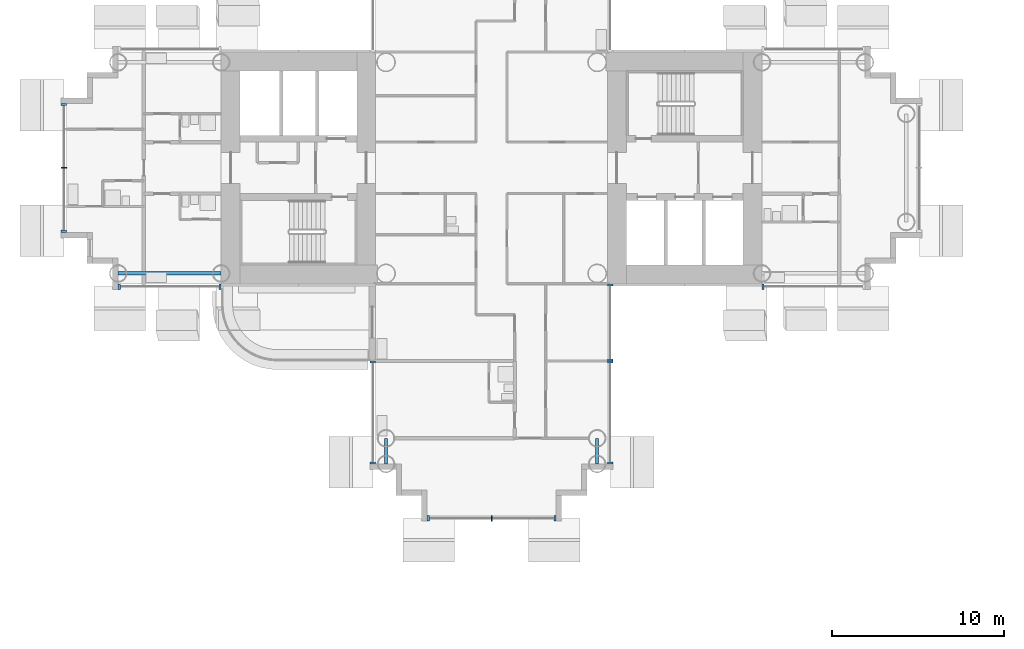
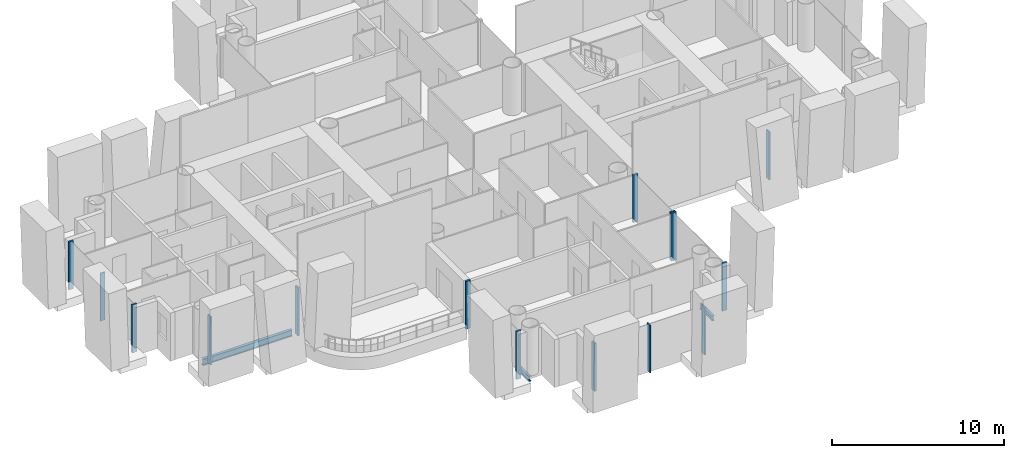
# One storey, part 3 of 25: 15 members, 3 beams, 7 elements without a shape of their own.
"""IFC4 building model written with IfcOpenShell, lengths in metres."""

import ifcopenshell
import ifcopenshell.guid

model = None  # the IFC model being written
_history = None  # IfcOwnerHistory: only IFC2X3 demands one
_inside = {}  # id of a spatial element -> (the spatial element, [elements in it])
_under = {}  # id of a project, library or spatial element -> (it, [spatial elements below it])
_declared = {}  # id of a project -> (the project, [libraries it declares])
_typed = {}  # id of a type object -> (the type object, [elements of that type])
_made_of = {}  # id of a material, layer set ... -> (it, [elements and type objects made of it])


def new_model(schema):
    """Start an empty IFC model of exactly this schema.

    Asked for "IFC4X3", IfcOpenShell would pick the latest addendum, in which some entities
    have other attributes; the version numbers below select the first issue.
    IFC2X3 requires an IfcOwnerHistory on every rooted entity: one is made here for all.
    """
    global model, _history
    if schema == "IFC4X3":
        model = ifcopenshell.file(schema_version=(4, 3, 0, 0))
    else:
        model = ifcopenshell.file(schema=schema)
    _inside.clear()
    _under.clear()
    _declared.clear()
    _typed.clear()
    _made_of.clear()
    _history = None
    if model.schema == "IFC2X3":
        org = make("IfcOrganization", Name="unknown")
        user = make(
            "IfcPersonAndOrganization",
            ThePerson=make("IfcPerson", FamilyName="unknown"),
            TheOrganization=org,
        )
        app = make(
            "IfcApplication",
            ApplicationDeveloper=org,
            Version="unknown",
            ApplicationFullName="unknown",
            ApplicationIdentifier="unknown",
        )
        _history = make(
            "IfcOwnerHistory",
            OwningUser=user,
            OwningApplication=app,
            ChangeAction="ADDED",
            CreationDate=0,
        )
    return model


def make(cls, **values):
    """One entity of the class cls with the attributes given. An attribute that is None is left unset."""
    return model.create_entity(
        cls, **{name: value for name, value in values.items() if value is not None}
    )


def rooted(cls, **values):
    """An entity with a GlobalId (a new one), such as an element, a storey or a relation."""
    return make(cls, GlobalId=ifcopenshell.guid.new(), OwnerHistory=_history, **values)


def si_unit(unit_type, name, prefix=None):
    """IfcSIUnit, for example si_unit("LENGTHUNIT", "METRE", prefix="MILLI")."""
    return make("IfcSIUnit", UnitType=unit_type, Prefix=prefix, Name=name)


def assignment(units):
    """IfcUnitAssignment: the units of a project."""
    return None if units is None else make("IfcUnitAssignment", Units=units)


def point(xyz):
    """IfcCartesianPoint."""
    return None if xyz is None else make("IfcCartesianPoint", Coordinates=xyz)


def direction(xyz):
    """IfcDirection."""
    return None if xyz is None else make("IfcDirection", DirectionRatios=xyz)


def frame(location, z_axis=None, x_axis=None):
    """IfcAxis2Placement3D, a coordinate frame: its origin and axes. An axis left out is left unset."""
    return make(
        "IfcAxis2Placement3D",
        Location=point(location),
        Axis=direction(z_axis),
        RefDirection=direction(x_axis),
    )


def frame_2d(location, x_axis=None):
    """IfcAxis2Placement2D, a coordinate frame in the plane: its origin and x axis."""
    return make(
        "IfcAxis2Placement2D", Location=point(location), RefDirection=direction(x_axis)
    )


def origin():
    """The frame at (0, 0, 0) with its axes left unset."""
    return frame((0.0, 0.0, 0.0))


def origin_2d():
    """The frame at (0, 0) in the plane with its x axis left unset."""
    return frame_2d((0.0, 0.0))


def place(relative_to, where):
    """IfcLocalPlacement: puts the frame where relative to a parent placement (None: the world)."""
    return make(
        "IfcLocalPlacement", PlacementRelTo=relative_to, RelativePlacement=where
    )


def context(
    kind, dimensions, precision=None, world=None, true_north=None, identifier=None
):
    """IfcGeometricRepresentationContext, for example the 3D "Model" context."""
    return make(
        "IfcGeometricRepresentationContext",
        ContextIdentifier=identifier,
        ContextType=kind,
        CoordinateSpaceDimension=dimensions,
        Precision=precision,
        WorldCoordinateSystem=world,
        TrueNorth=true_north,
    )


def subcontext(parent, identifier, kind, view, scale=None):
    """IfcGeometricRepresentationSubContext, for example "Body" below "Model"."""
    return make(
        "IfcGeometricRepresentationSubContext",
        ContextIdentifier=identifier,
        ContextType=kind,
        ParentContext=parent,
        TargetScale=scale,
        TargetView=view,
    )


def project(units=None, contexts=None):
    """IfcProject with its units and contexts."""
    return rooted(
        "IfcProject",
        Name="project",
        RepresentationContexts=contexts,
        UnitsInContext=assignment(units),
    )


def spatial(cls, under=None, at=None, **own):
    """A site, building, storey or space (cls), placed at a placement, below another one or the project."""
    s = rooted(cls, ObjectPlacement=at, **own)
    if under is not None:
        _under.setdefault(under.id(), (under, []))[1].append(s)
    return s


def profile(cls, at=None, kind="AREA", **sizes):
    """A parametric profile (cls). Its sizes go by their IFC names, for example OverallWidth=200.0."""
    return make(cls, ProfileType=kind, Position=at, **sizes)


def rectangle(**sizes):
    """IfcRectangleProfileDef."""
    return profile("IfcRectangleProfileDef", **sizes)


def i_section(**sizes):
    """IfcIShapeProfileDef."""
    return profile("IfcIShapeProfileDef", **sizes)


def extrude(swept, where, along, depth):
    """IfcExtrudedAreaSolid: the profile swept, set in the frame where, extruded along a direction by depth."""
    return make(
        "IfcExtrudedAreaSolid",
        SweptArea=swept,
        Position=where,
        ExtrudedDirection=direction(along),
        Depth=depth,
    )


def shape(context_of_items, identifier, shape_type, items):
    """IfcShapeRepresentation: the items that make up one representation, for example the "Body"."""
    return make(
        "IfcShapeRepresentation",
        ContextOfItems=context_of_items,
        RepresentationIdentifier=identifier,
        RepresentationType=shape_type,
        Items=items,
    )


def material(Name=None, Category=None):
    """IfcMaterial."""
    return make("IfcMaterial", Name=Name, Category=Category)


def layer(
    of_material, thickness, ventilated=None, Name=None, Category=None, Priority=None
):
    """IfcMaterialLayer: one layer of a wall or slab, of a material (None: an air gap)."""
    return make(
        "IfcMaterialLayer",
        Material=of_material,
        LayerThickness=thickness,
        IsVentilated=ventilated,
        Name=Name,
        Category=Category,
        Priority=Priority,
    )


def layer_set(layers, Name=None):
    """IfcMaterialLayerSet."""
    return make("IfcMaterialLayerSet", MaterialLayers=layers, LayerSetName=Name)


def material_profile(
    of_material, cross_section, Name=None, Category=None, Priority=None
):
    """IfcMaterialProfile: a cross section and its material."""
    return make(
        "IfcMaterialProfile",
        Name=Name,
        Material=of_material,
        Profile=cross_section,
        Priority=Priority,
        Category=Category,
    )


def profile_set(profiles, Name=None, composite=None):
    """IfcMaterialProfileSet."""
    return make(
        "IfcMaterialProfileSet",
        Name=Name,
        MaterialProfiles=profiles,
        CompositeProfile=composite,
    )


def made_of(thing, what):
    """Note that an element or type object is made of a material, layer set ...; save() writes the relation."""
    if what is not None:
        _made_of.setdefault(what.id(), (what, []))[1].append(thing)
    return thing


def type_object(cls, material=None, **own):
    """A type object (cls), such as IfcWallType, which elements share."""
    return made_of(rooted(cls, **own), material)


def element(
    cls,
    number,
    at=None,
    inside=None,
    cuts=None,
    type_object=None,
    material=None,
    context=None,
    identifier="Body",
    shape_type=None,
    held_by="IfcProductDefinitionShape",
    body=None,
    shapes=None,
    **own,
):
    """One element of the class cls, such as IfcWall. Its Tag is "e" and its number.

    at: its placement. inside: the storey or other place that contains it. cuts: it is an
    opening in that element (IfcRelVoidsElement). A single representation is given by context,
    identifier, shape_type and body (its items); several are given by shapes. held_by: the class
    of the entity that holds the representations. save() writes the other relations.
    """
    e = rooted(cls, Tag="e%d" % number, ObjectPlacement=at, **own)
    if body is not None:
        shapes = [shape(context, identifier, shape_type, body)]
    if shapes is not None:
        e.Representation = make(held_by, Representations=shapes)
    if inside is not None:
        _inside.setdefault(inside.id(), (inside, []))[1].append(e)
    if cuts is not None:
        rooted(
            "IfcRelVoidsElement", RelatingBuildingElement=cuts, RelatedOpeningElement=e
        )
    if type_object is not None:
        _typed.setdefault(type_object.id(), (type_object, []))[1].append(e)
    return made_of(e, material)


def aggregate(whole, parts):
    """IfcRelAggregates: a whole, such as a stair, and the parts it consists of."""
    return rooted("IfcRelAggregates", RelatingObject=whole, RelatedObjects=parts)


def save(model, path):
    """Write the relations noted so far, then the file.

    IfcRelAggregates (storeys below a building ...), IfcRelContainedInSpatialStructure (elements
    in a storey), IfcRelDefinesByType, IfcRelAssociatesMaterial and IfcRelDeclares: one each for
    every whole, place, type object, material and project.
    """
    for whole, parts in _under.values():
        aggregate(whole, parts)
    for where, things in _inside.values():
        rooted(
            "IfcRelContainedInSpatialStructure",
            RelatedElements=things,
            RelatingStructure=where,
        )
    for kind, things in _typed.values():
        rooted("IfcRelDefinesByType", RelatedObjects=things, RelatingType=kind)
    for what, things in _made_of.values():
        rooted("IfcRelAssociatesMaterial", RelatedObjects=things, RelatingMaterial=what)
    for by, libraries in _declared.values():
        rooted("IfcRelDeclares", RelatingContext=by, RelatedDefinitions=libraries)
    model.write(path)


model = new_model("IFC4")

# Units and contexts
model_context = context("Model", 3, precision=1e-05, world=origin(), true_north=direction((0.0, 1.0)))
body_context = subcontext(model_context, "Body", "Model", "MODEL_VIEW")
ifc_project = project(units=[si_unit("LENGTHUNIT", "METRE"), si_unit("AREAUNIT", "SQUARE_METRE"), si_unit("VOLUMEUNIT", "CUBIC_METRE"), si_unit("PLANEANGLEUNIT", "RADIAN"), si_unit("MASSUNIT", "GRAM", prefix="KILO")], contexts=[model_context])

# Site, building, storey
site_placement = place(None, origin())
site = spatial("IfcSite", under=ifc_project, at=site_placement, CompositionType="ELEMENT")
building_placement = place(site_placement, origin())
building = spatial("IfcBuilding", under=site, at=building_placement, Name="Ipe Terrace Towers", CompositionType="ELEMENT")
storey_placement = place(building_placement, frame((0.0, 0.0, 65.300048828125)))
storey = spatial("IfcBuildingStorey", under=building, at=storey_placement, Name="L17", CompositionType="ELEMENT", Elevation=65.300048828125)

# Beams
ifc_material_1 = material(Name="Steel S355", Category="steel")
ifc_material_profile_1 = material_profile(ifc_material_1, i_section(OverallWidth=0.175048828125, OverallDepth=0.35009765625, WebThickness=0.007080078125, FlangeThickness=0.010986328125, at=origin_2d()), Name="H-350x175x7x11")
ifc_profile_set_1 = profile_set([ifc_material_profile_1], Name="Steel S355")
beam_type_1 = type_object("IfcBeamType", Name="H04 EDGE BEAM H-350x175x7x11", PredefinedType="BEAM", material=ifc_profile_set_1)
for number, where, z_axis, x_axis, name in (
    (1, (-42.14990234375, -15.75, -0.574951171875), (0.0, -1.0, 0.0), (1.0, 0.0, 0.0), "Edge beam T1-EB-D03-D05"),
    (2, (-29.85009765625, -15.75, -0.574951171875), (0.0, -1.0, 0.0), (1.0, 0.0, 0.0), "Edge beam T1-EB-D04-D06"),
):
    element("IfcBeam", number, at=place(storey_placement, frame(where, z_axis=z_axis, x_axis=x_axis)), inside=storey, type_object=beam_type_1, Name=name, PredefinedType="BEAM", context=body_context, shape_type="SweptSolid", body=[
        extrude(i_section(OverallWidth=0.175048828125, OverallDepth=0.35009765625, WebThickness=0.007080078125, FlangeThickness=0.010986328125, at=origin_2d()), origin(), (0.0, 0.0, 1.0), 1.5),
    ])
ifc_material_2 = material(Name="Steel S355", Category="steel")
ifc_material_profile_2 = material_profile(ifc_material_2, i_section(OverallWidth=0.199951171875, OverallDepth=0.449951171875, WebThickness=0.009033203125, FlangeThickness=0.013916015625, at=origin_2d()), Name="H-450x200x9x14")
ifc_profile_set_2 = profile_set([ifc_material_profile_2], Name="Steel S355")
beam_type_2 = type_object("IfcBeamType", Name="H08 EDGE BEAM H-450x200x9x14", PredefinedType="BEAM", material=ifc_profile_set_2)
beam_placement = place(storey_placement, frame((-51.75, -6.14990234375, -0.625), z_axis=(-1.0, 0.0, 0.0), x_axis=(0.0, -1.0, 0.0)))
element("IfcBeam", 3, at=beam_placement, inside=storey, type_object=beam_type_2, Name="Edge beam T1-EB-C01-C03", PredefinedType="BEAM", context=body_context, shape_type="SweptSolid", body=[
    extrude(i_section(OverallWidth=0.199951171875, OverallDepth=0.449951171875, WebThickness=0.009033203125, FlangeThickness=0.013916015625, at=origin_2d()), origin(), (0.0, 0.0, 1.0), 6.0),
])

# Curtain wall, members
ifc_material_3 = material(Name="Aluminium alloy 6063-T6", Category="aluminium")
ifc_layer = layer(ifc_material_3, 0.320068359375)
ifc_layer_set = layer_set([ifc_layer], Name="TOWER UNITISED CURTAIN WALL")
curtain_wall_type = type_object("IfcCurtainWallType", Name="TOWER UNITISED CURTAIN WALL", PredefinedType="NOTDEFINED", material=ifc_layer_set)
curtain_wall_1_placement = place(storey_placement, origin())
curtain_wall_1 = element("IfcCurtainWall", 4, at=curtain_wall_1_placement, inside=storey, type_object=curtain_wall_type, Name="T1-CW-L17-04a curtain wall", PredefinedType="NOTDEFINED")
ifc_material_4 = material(Name="Aluminium alloy 6063-T6", Category="aluminium")
ifc_material_profile_3 = material_profile(ifc_material_4, rectangle(XDim=0.320068359375, YDim=0.1201171875, at=origin_2d()), Name="TOWER UNITISED CORNER MULLION 320 x 120")
ifc_profile_set_3 = profile_set([ifc_material_profile_3], Name="Aluminium alloy 6063-T6")
member_type_1 = type_object("IfcMemberType", Name="TOWER UNITISED CORNER MULLION 320 x 120", PredefinedType="MULLION", material=ifc_profile_set_3)
member_1_placement = place(storey_placement, frame((-57.68994140625, -6.909912109375, -0.300048828125), z_axis=(0.0, 0.0, 1.0), x_axis=(0.0, -1.0, 0.0)))
member_1 = element("IfcMember", 5, at=member_1_placement, type_object=member_type_1, Name="T1-CW-L17-04a mullion 1", PredefinedType="MULLION", context=body_context, shape_type="SweptSolid", body=[
    extrude(rectangle(XDim=0.320068359375, YDim=0.1201171875, at=origin_2d()), origin(), (0.0, 0.0, 1.0), 3.39990234375),
])
member_2_placement = place(storey_placement, frame((-51.81103515625, -6.909912109375, -0.300048828125), z_axis=(0.0, 0.0, 1.0), x_axis=(0.0, -1.0, 0.0)))
member_2 = element("IfcMember", 6, at=member_2_placement, type_object=member_type_1, Name="T1-CW-L17-04a mullion 2", PredefinedType="MULLION", context=body_context, shape_type="SweptSolid", body=[
    extrude(rectangle(XDim=0.320068359375, YDim=0.1201171875, at=origin_2d()), origin(), (0.0, 0.0, 1.0), 3.39990234375),
])
aggregate(curtain_wall_1, [member_1, member_2])

curtain_wall_2_placement = place(storey_placement, origin())
curtain_wall_2 = element("IfcCurtainWall", 7, at=curtain_wall_2_placement, inside=storey, type_object=curtain_wall_type, Name="T1-CW-L17-07a curtain wall", PredefinedType="NOTDEFINED")
member_3_placement = place(storey_placement, frame((-42.909912109375, -11.31005859375, -0.300048828125), z_axis=(0.0, 0.0, 1.0), x_axis=(-1.0, 0.0, 0.0)))
member_3 = element("IfcMember", 8, at=member_3_placement, type_object=member_type_1, Name="T1-CW-L17-07a mullion 1", PredefinedType="MULLION", context=body_context, shape_type="SweptSolid", body=[
    extrude(rectangle(XDim=0.320068359375, YDim=0.1201171875, at=origin_2d()), origin(), (0.0, 0.0, 1.0), 3.39990234375),
])
member_4_placement = place(storey_placement, frame((-42.909912109375, -17.18994140625, -0.300048828125), z_axis=(0.0, 0.0, 1.0), x_axis=(-1.0, 0.0, 0.0)))
member_4 = element("IfcMember", 9, at=member_4_placement, type_object=member_type_1, Name="T1-CW-L17-07a mullion 2", PredefinedType="MULLION", context=body_context, shape_type="SweptSolid", body=[
    extrude(rectangle(XDim=0.320068359375, YDim=0.1201171875, at=origin_2d()), origin(), (0.0, 0.0, 1.0), 3.39990234375),
])
aggregate(curtain_wall_2, [member_3, member_4])

curtain_wall_3_placement = place(storey_placement, origin())
curtain_wall_3 = element("IfcCurtainWall", 10, at=curtain_wall_3_placement, inside=storey, type_object=curtain_wall_type, Name="T1-CW-L17-12a curtain wall", PredefinedType="NOTDEFINED")
member_5_placement = place(storey_placement, frame((-39.68994140625, -20.409912109375, -0.300048828125), z_axis=(0.0, 0.0, 1.0), x_axis=(0.0, -1.0, 0.0)))
member_5 = element("IfcMember", 11, at=member_5_placement, type_object=member_type_1, Name="T1-CW-L17-12a mullion 1", PredefinedType="MULLION", context=body_context, shape_type="SweptSolid", body=[
    extrude(rectangle(XDim=0.320068359375, YDim=0.1201171875, at=origin_2d()), origin(), (0.0, 0.0, 1.0), 3.39990234375),
])
member_6_placement = place(storey_placement, frame((-32.31005859375, -20.409912109375, -0.300048828125), z_axis=(0.0, 0.0, 1.0), x_axis=(0.0, -1.0, 0.0)))
member_6 = element("IfcMember", 12, at=member_6_placement, type_object=member_type_1, Name="T1-CW-L17-12a mullion 3", PredefinedType="MULLION", context=body_context, shape_type="SweptSolid", body=[
    extrude(rectangle(XDim=0.320068359375, YDim=0.1201171875, at=origin_2d()), origin(), (0.0, 0.0, 1.0), 3.39990234375),
])

curtain_wall_4_placement = place(storey_placement, origin())
curtain_wall_4 = element("IfcCurtainWall", 13, at=curtain_wall_4_placement, inside=storey, type_object=curtain_wall_type, Name="T1-CW-L17-17a curtain wall", PredefinedType="NOTDEFINED")
member_7_placement = place(storey_placement, frame((-29.090087890625, -17.18994140625, -0.300048828125), z_axis=(0.0, 0.0, 1.0), x_axis=(1.0, 0.0, 0.0)))
member_7 = element("IfcMember", 14, at=member_7_placement, type_object=member_type_1, Name="T1-CW-L17-17a mullion 1", PredefinedType="MULLION", context=body_context, shape_type="SweptSolid", body=[
    extrude(rectangle(XDim=0.320068359375, YDim=0.1201171875, at=origin_2d()), origin(), (0.0, 0.0, 1.0), 3.39990234375),
])
member_8_placement = place(storey_placement, frame((-29.090087890625, -11.31005859375, -0.300048828125), z_axis=(0.0, 0.0, 1.0), x_axis=(1.0, 0.0, 0.0)))
member_8 = element("IfcMember", 15, at=member_8_placement, type_object=member_type_1, Name="T1-CW-L17-17a mullion 2", PredefinedType="MULLION", context=body_context, shape_type="SweptSolid", body=[
    extrude(rectangle(XDim=0.320068359375, YDim=0.1201171875, at=origin_2d()), origin(), (0.0, 0.0, 1.0), 3.39990234375),
])
aggregate(curtain_wall_4, [member_7, member_8])

curtain_wall_5_placement = place(storey_placement, origin())
curtain_wall_5 = element("IfcCurtainWall", 16, at=curtain_wall_5_placement, inside=storey, type_object=curtain_wall_type, Name="T1-CW-L17-18a curtain wall", PredefinedType="NOTDEFINED")
member_9_placement = place(storey_placement, frame((-29.090087890625, -11.18994140625, -0.300048828125), z_axis=(0.0, 0.0, 1.0), x_axis=(1.0, 0.0, 0.0)))
member_9 = element("IfcMember", 17, at=member_9_placement, type_object=member_type_1, Name="T1-CW-L17-18a mullion 1", PredefinedType="MULLION", context=body_context, shape_type="SweptSolid", body=[
    extrude(rectangle(XDim=0.320068359375, YDim=0.1201171875, at=origin_2d()), origin(), (0.0, 0.0, 1.0), 3.39990234375),
])
member_10_placement = place(storey_placement, frame((-29.090087890625, -6.81005859375, -0.300048828125), z_axis=(0.0, 0.0, 1.0), x_axis=(1.0, 0.0, 0.0)))
member_10 = element("IfcMember", 18, at=member_10_placement, type_object=member_type_1, Name="T1-CW-L17-18a mullion 2", PredefinedType="MULLION", context=body_context, shape_type="SweptSolid", body=[
    extrude(rectangle(XDim=0.320068359375, YDim=0.1201171875, at=origin_2d()), origin(), (0.0, 0.0, 1.0), 3.39990234375),
])
aggregate(curtain_wall_5, [member_9, member_10])

# Curtain wall, member
curtain_wall_6_placement = place(storey_placement, origin())
curtain_wall_6 = element("IfcCurtainWall", 19, at=curtain_wall_6_placement, inside=storey, type_object=curtain_wall_type, Name="T1-CW-L17-20b curtain wall", PredefinedType="NOTDEFINED")
member_11_placement = place(storey_placement, frame((-20.18896484375, -6.909912109375, -0.300048828125), z_axis=(0.0, 0.0, 1.0), x_axis=(0.0, -1.0, 0.0)))
member_11 = element("IfcMember", 20, at=member_11_placement, type_object=member_type_1, Name="T1-CW-L17-20b mullion 1", PredefinedType="MULLION", context=body_context, shape_type="SweptSolid", body=[
    extrude(rectangle(XDim=0.320068359375, YDim=0.1201171875, at=origin_2d()), origin(), (0.0, 0.0, 1.0), 3.39990234375),
])
aggregate(curtain_wall_6, [member_11])

# Curtain wall, members
curtain_wall_7_placement = place(storey_placement, origin())
curtain_wall_7 = element("IfcCurtainWall", 21, at=curtain_wall_7_placement, inside=storey, type_object=curtain_wall_type, Name="T1-CW-L17-51a curtain wall", PredefinedType="NOTDEFINED")
member_12_placement = place(storey_placement, frame((-60.909912109375, 3.68994140625, -0.300048828125), z_axis=(0.0, 0.0, 1.0), x_axis=(-1.0, 0.0, 0.0)))
member_12 = element("IfcMember", 22, at=member_12_placement, type_object=member_type_1, Name="T1-CW-L17-51a mullion 1", PredefinedType="MULLION", context=body_context, shape_type="SweptSolid", body=[
    extrude(rectangle(XDim=0.320068359375, YDim=0.1201171875, at=origin_2d()), origin(), (0.0, 0.0, 1.0), 3.39990234375),
])
member_13_placement = place(storey_placement, frame((-60.909912109375, -3.68994140625, -0.300048828125), z_axis=(0.0, 0.0, 1.0), x_axis=(-1.0, 0.0, 0.0)))
member_13 = element("IfcMember", 23, at=member_13_placement, type_object=member_type_1, Name="T1-CW-L17-51a mullion 3", PredefinedType="MULLION", context=body_context, shape_type="SweptSolid", body=[
    extrude(rectangle(XDim=0.320068359375, YDim=0.1201171875, at=origin_2d()), origin(), (0.0, 0.0, 1.0), 3.39990234375),
])

# Member
ifc_material_5 = material(Name="Aluminium alloy 6063-T6", Category="aluminium")
ifc_material_profile_4 = material_profile(ifc_material_5, rectangle(XDim=0.320068359375, YDim=0.06494140625, at=origin_2d()), Name="TOWER UNITISED MULLION 320 x 65")
ifc_profile_set_4 = profile_set([ifc_material_profile_4], Name="Aluminium alloy 6063-T6")
member_type_2 = type_object("IfcMemberType", Name="TOWER UNITISED MULLION 320 x 65", PredefinedType="MULLION", material=ifc_profile_set_4)
member_14_placement = place(storey_placement, frame((-36.0, -20.409912109375, -0.300048828125), z_axis=(0.0, 0.0, 1.0), x_axis=(0.0, -1.0, 0.0)))
member_14 = element("IfcMember", 24, at=member_14_placement, type_object=member_type_2, Name="T1-CW-L17-12a mullion 2", PredefinedType="MULLION", context=body_context, shape_type="SweptSolid", body=[
    extrude(rectangle(XDim=0.320068359375, YDim=0.06494140625, at=origin_2d()), origin(), (0.0, 0.0, 1.0), 3.39990234375),
])

aggregate(curtain_wall_3, [member_5, member_14, member_6])

member_15_placement = place(storey_placement, frame((-60.909912109375, 0.0, -0.300048828125), z_axis=(0.0, 0.0, 1.0), x_axis=(-1.0, 0.0, 0.0)))
member_15 = element("IfcMember", 25, at=member_15_placement, type_object=member_type_2, Name="T1-CW-L17-51a mullion 2", PredefinedType="MULLION", context=body_context, shape_type="SweptSolid", body=[
    extrude(rectangle(XDim=0.320068359375, YDim=0.06494140625, at=origin_2d()), origin(), (0.0, 0.0, 1.0), 3.39990234375),
])

aggregate(curtain_wall_7, [member_12, member_15, member_13])

save(model, "model.ifc")
